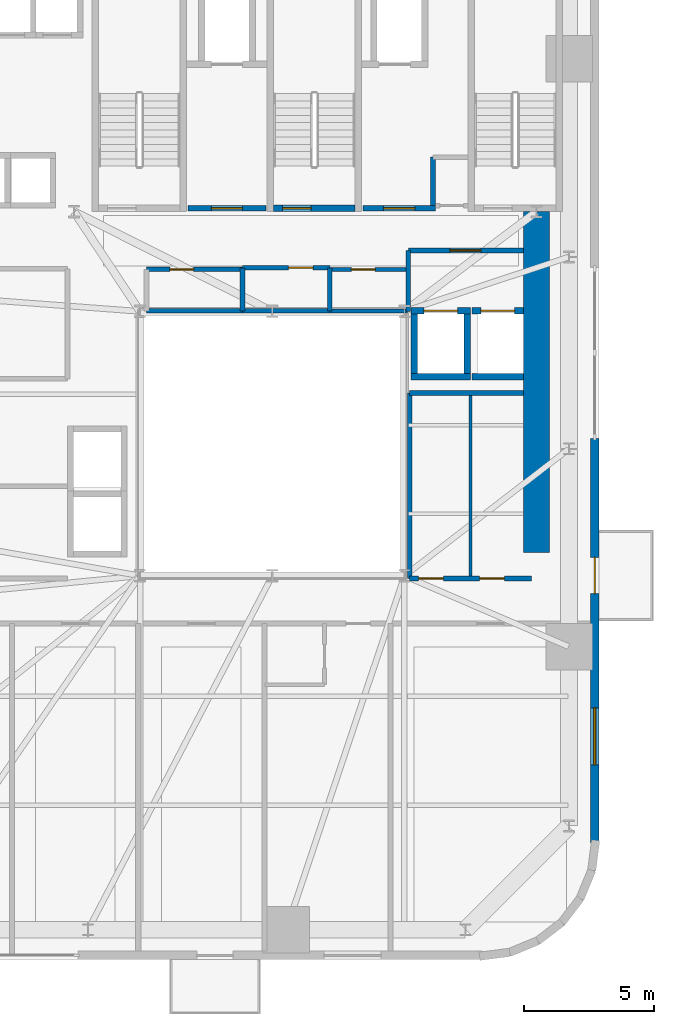
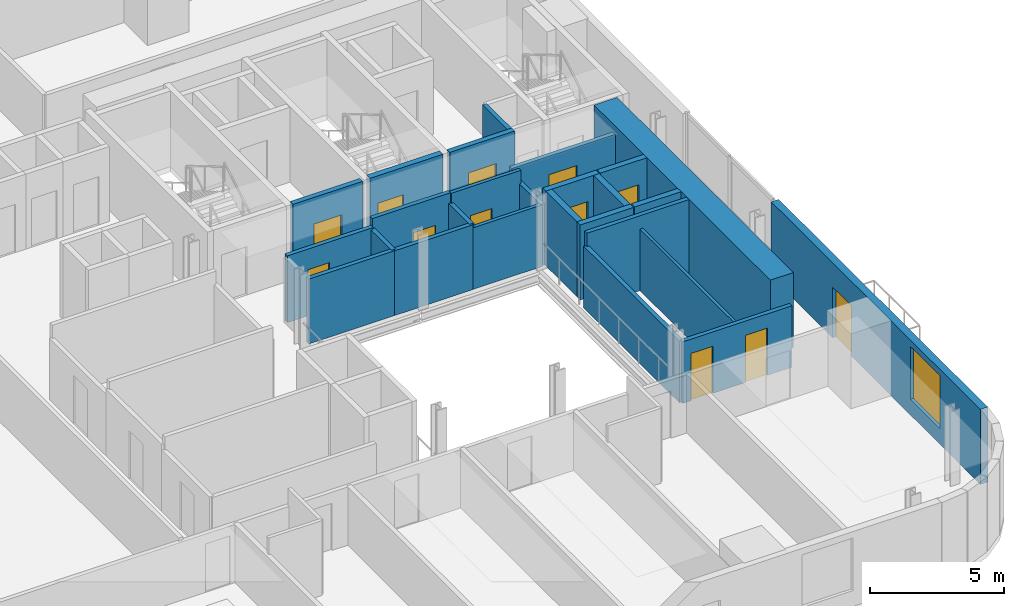
# One storey, part 7 of 13: 26 walls, 12 doors, 1 window, 13 openings.
"""IFC4 building model written with IfcOpenShell, lengths in metres."""

from ifc_helpers import new_model, si_unit, direction, frame, frame_2d, origin, place, context, subcontext, project, spatial, rectangle, extrude, source, transform, mapped, material, layer, layer_set, type_object, element, fill, save


model = new_model("IFC4")

# Units and contexts
model_context = context("Model", 3, precision=1e-05, world=origin(), true_north=direction((0.0, 1.0)))
body_context = subcontext(model_context, "Body", "Model", "MODEL_VIEW")
ifc_project = project(units=[si_unit("LENGTHUNIT", "METRE"), si_unit("AREAUNIT", "SQUARE_METRE"), si_unit("VOLUMEUNIT", "CUBIC_METRE"), si_unit("PLANEANGLEUNIT", "RADIAN"), si_unit("MASSUNIT", "GRAM", prefix="KILO")], contexts=[model_context])

# Site, building, storey
site_placement = place(None, origin())
site = spatial("IfcSite", under=ifc_project, at=site_placement, CompositionType="ELEMENT")
building_placement = place(site_placement, origin())
building = spatial("IfcBuilding", under=site, at=building_placement, Name="Vardaveli Station Tower", CompositionType="ELEMENT")
storey_placement = place(building_placement, frame((0.0, 0.0, 45.85009765625)))
storey = spatial("IfcBuildingStorey", under=building, at=storey_placement, Name="L11", CompositionType="ELEMENT", Elevation=45.85009765625)

# Wall
ifc_material_1 = material(Name="Concrete C60/75", Category="concrete")
ifc_layer_1 = layer(ifc_material_1, 1.0, Name="Concrete C60/75")
ifc_layer_set_1 = layer_set([ifc_layer_1], Name="Concrete C60/75")
wall_type_1 = type_object("IfcWallType", Name="WAL-CORE-1000", PredefinedType="SHEAR", material=ifc_layer_set_1)
shared_shape_1 = source(origin(), body_context, "Body", "SweptSolid", [
    extrude(rectangle(XDim=13.14990234375, YDim=1.0, at=frame_2d((6.574951171875, 0.0))), origin(), (0.0, 0.0, 1.0), 3.409912109375),
])
wall_1_placement = place(storey_placement, frame((46.5, 17.5, 0.0), z_axis=(0.0, 0.0, 1.0), x_axis=(0.0, 1.0, 0.0)))
element("IfcWall", 1, at=wall_1_placement, inside=storey, type_object=wall_type_1, Name="SW-L11-EAST2", PredefinedType="SHEAR", context=body_context, shape_type="MappedRepresentation", body=[
    mapped(shared_shape_1, transform((0.0, 0.0, 0.0), scale=1.0)),
])

# Wall, openings, door, window
ifc_material_2 = material(Name="Precast concrete C45/55", Category="concrete")
ifc_layer_2 = layer(ifc_material_2, 0.320068359375, Name="Precast concrete C45/55")
ifc_layer_set_2 = layer_set([ifc_layer_2], Name="Precast concrete C45/55")
wall_type_2 = type_object("IfcWallType", Name="WAL-EXT-STONE-320", PredefinedType="SOLIDWALL", material=ifc_layer_set_2)
shared_shape_2 = source(origin(), body_context, "Body", "SweptSolid", [
    extrude(rectangle(XDim=15.599853515625, YDim=0.320068359375, at=frame_2d((7.7998046875, 0.0))), origin(), (0.0, 0.0, 1.0), 3.409912109375),
])
wall_2_placement = place(storey_placement, frame((48.739990234375, 6.300048828125, 0.0), z_axis=(0.0, 0.0, 1.0), x_axis=(0.0, 1.0, 0.0)))
wall_2 = element("IfcWall", 2, at=wall_2_placement, inside=storey, type_object=wall_type_2, Name="EW-L11-E1", PredefinedType="SOLIDWALL", context=body_context, shape_type="MappedRepresentation", body=[
    mapped(shared_shape_2, transform((0.0, 0.0, 0.0), scale=1.0)),
])
shared_shape_3 = source(origin(), body_context, "Body", "SweptSolid", [
    extrude(rectangle(XDim=1.39990234375, YDim=2.300048828125, at=frame_2d((0.699951171875, 1.14990234375))), frame((0.0, 0.169921875, 0.0), z_axis=(0.0, -1.0, 0.0), x_axis=(1.0, 0.0, 0.0)), (0.0, 0.0, 1.0), 0.340087890625),
])
opening_1_placement = place(wall_2_placement, frame((9.6103515625, 0.0, 0.0)))
opening_1 = element("IfcOpeningElement", 3, at=opening_1_placement, cuts=wall_2, Name="Opening D-09", PredefinedType="OPENING", context=body_context, shape_type="MappedRepresentation", body=[
    mapped(shared_shape_3, transform((0.0, 0.0, 0.0), scale=1.0)),
])
shared_shape_4 = source(origin(), body_context, "Body", "SweptSolid", [
    extrude(rectangle(XDim=2.199951171875, YDim=2.39990234375, at=frame_2d((1.10009765625, 1.199951171875))), frame((0.0, 0.169921875, 0.0), z_axis=(0.0, -1.0, 0.0), x_axis=(1.0, 0.0, 0.0)), (0.0, 0.0, 1.0), 0.340087890625),
])
opening_2_placement = place(wall_2_placement, frame((3.0048828125, 0.0, 0.719970703125)))
opening_2 = element("IfcOpeningElement", 4, at=opening_2_placement, cuts=wall_2, Name="Opening W-03", PredefinedType="OPENING", context=body_context, shape_type="MappedRepresentation", body=[
    mapped(shared_shape_4, transform((0.0, 0.0, 0.0), scale=1.0)),
])
ifc_material_3 = material(Name="Thermally broken aluminium glass", Category="aluminium")
door_type_1 = type_object("IfcDoorType", Name="DR-LOG-1400x2300", OperationType="DOUBLE_DOOR_SLIDING", PredefinedType="DOOR", material=ifc_material_3)
shared_shape_5 = source(origin(), body_context, "Body", "SweptSolid", [
    extrude(rectangle(XDim=1.39990234375, YDim=2.300048828125, at=frame_2d((0.699951171875, 1.14990234375))), frame((0.0, 0.02490234375, 0.0), z_axis=(0.0, -1.0, 0.0), x_axis=(1.0, 0.0, 0.0)), (0.0, 0.0, 1.0), 0.050048828125),
])
door_1_placement = place(opening_1_placement, frame((1.39990234375, 0.0, 0.0), z_axis=(0.0, 0.0, 1.0), x_axis=(-1.0, 0.0, 0.0)))
door_1 = element("IfcDoor", 5, at=door_1_placement, inside=storey, type_object=door_type_1, Name="DLG-L11-E", OperationType="DOUBLE_DOOR_SLIDING", OverallHeight=2.300048828125, OverallWidth=1.39990234375, PredefinedType="DOOR", context=body_context, shape_type="MappedRepresentation", body=[
    mapped(shared_shape_5, transform((0.0, 0.0, 0.0), scale=1.0)),
])
fill(opening_1, door_1)
ifc_material_4 = material(Name="Low-E solar-control glass", Category="glass")
window_type = type_object("IfcWindowType", Name="WIN-LOG-2200x2400", PartitioningType="SINGLE_PANEL", PredefinedType="WINDOW", material=ifc_material_4)
shared_shape_6 = source(origin(), body_context, "Body", "SweptSolid", [
    extrude(rectangle(XDim=2.199951171875, YDim=2.39990234375, at=frame_2d((1.10009765625, 1.199951171875))), frame((0.0, 0.030029296875, 0.0), z_axis=(0.0, -1.0, 0.0), x_axis=(1.0, 0.0, 0.0)), (0.0, 0.0, 1.0), 0.06005859375),
])
window_placement = place(opening_2_placement, origin())
window = element("IfcWindow", 6, at=window_placement, inside=storey, type_object=window_type, Name="WN-L11-E1", OverallHeight=2.39990234375, OverallWidth=2.199951171875, PartitioningType="SINGLE_PANEL", PredefinedType="WINDOW", context=body_context, shape_type="MappedRepresentation", body=[
    mapped(shared_shape_6, transform((0.0, 0.0, 0.0), scale=1.0)),
])
fill(opening_2, window)

# Wall, opening, door
ifc_material_5 = material(Name="Concrete C40/50", Category="concrete")
ifc_layer_3 = layer(ifc_material_5, 0.25, Name="Concrete C40/50")
ifc_layer_set_3 = layer_set([ifc_layer_3], Name="Concrete C40/50")
wall_type_3 = type_object("IfcWallType", Name="WAL-SHAFT-250", PredefinedType="SOLIDWALL", material=ifc_layer_set_3)
shared_shape_7 = source(origin(), body_context, "Body", "SweptSolid", [
    extrude(rectangle(XDim=3.14990234375, YDim=0.25, at=frame_2d((1.574951171875, 0.0))), origin(), (0.0, 0.0, 1.0), 3.449951171875),
])
wall_3_placement = place(storey_placement, frame((36.35009765625, 30.77490234375, 0.0), z_axis=(0.0, 0.0, 1.0), x_axis=(1.0, 0.0, 0.0)))
wall_3 = element("IfcWall", 7, at=wall_3_placement, inside=storey, type_object=wall_type_3, Name="W-L11-ST-2S", PredefinedType="SOLIDWALL", context=body_context, shape_type="MappedRepresentation", body=[
    mapped(shared_shape_7, transform((0.0, 0.0, 0.0), scale=1.0)),
])
shared_shape_8 = source(origin(), body_context, "Body", "SweptSolid", [
    extrude(rectangle(XDim=1.10009765625, YDim=2.199951171875, at=frame_2d((0.550048828125, 1.10009765625))), frame((0.0, 0.135009765625, 0.0), z_axis=(0.0, -1.0, 0.0), x_axis=(1.0, 0.0, 0.0)), (0.0, 0.0, 1.0), 0.27001953125),
])
opening_3_placement = place(wall_3_placement, frame((0.35009765625, 0.0, 0.0)))
opening_3 = element("IfcOpeningElement", 8, at=opening_3_placement, cuts=wall_3, Name="Opening D-04", PredefinedType="OPENING", context=body_context, shape_type="MappedRepresentation", body=[
    mapped(shared_shape_8, transform((0.0, 0.0, 0.0), scale=1.0)),
])
ifc_material_6 = material(Name="Steel smokeproof fire doorset", Category="steel")
door_type_2 = type_object("IfcDoorType", Name="DR-ST-1100x2200", OperationType="NOTDEFINED", PredefinedType="DOOR", material=ifc_material_6)
shared_shape_9 = source(origin(), body_context, "Body", "SweptSolid", [
    extrude(rectangle(XDim=1.10009765625, YDim=2.199951171875, at=frame_2d((0.550048828125, 1.10009765625))), frame((0.0, 0.02490234375, 0.0), z_axis=(0.0, -1.0, 0.0), x_axis=(1.0, 0.0, 0.0)), (0.0, 0.0, 1.0), 0.050048828125),
])
door_2_placement = place(opening_3_placement, origin())
door_2 = element("IfcDoor", 9, at=door_2_placement, inside=storey, type_object=door_type_2, Name="DST-2-L11", OperationType="SINGLE_SWING_LEFT", OverallHeight=2.199951171875, OverallWidth=1.10009765625, PredefinedType="DOOR", context=body_context, shape_type="MappedRepresentation", body=[
    mapped(shared_shape_9, transform((0.0, 0.0, 0.0), scale=1.0)),
])
fill(opening_3, door_2)

ifc_layer_4 = layer(ifc_material_5, 0.219970703125, Name="Concrete C40/50")
ifc_layer_set_4 = layer_set([ifc_layer_4], Name="Concrete C40/50")
wall_type_4 = type_object("IfcWallType", Name="WAL-FFLOBBY-220", PredefinedType="SOLIDWALL", material=ifc_layer_set_4)
shared_shape_10 = source(origin(), body_context, "Body", "SweptSolid", [
    extrude(rectangle(XDim=3.0, YDim=0.219970703125, at=frame_2d((1.5, 0.0))), origin(), (0.0, 0.0, 1.0), 3.409912109375),
])
wall_4_placement = place(storey_placement, frame((33.050048828125, 30.780029296875, 0.0), z_axis=(0.0, 0.0, 1.0), x_axis=(1.0, 0.0, 0.0)))
wall_4 = element("IfcWall", 10, at=wall_4_placement, inside=storey, type_object=wall_type_4, Name="W-L11-FFL1S", PredefinedType="SOLIDWALL", context=body_context, shape_type="MappedRepresentation", body=[
    mapped(shared_shape_10, transform((0.0, 0.0, 0.0), scale=1.0)),
])
shared_shape_11 = source(origin(), body_context, "Body", "SweptSolid", [
    extrude(rectangle(XDim=1.199951171875, YDim=2.199951171875, at=frame_2d((0.60009765625, 1.10009765625))), frame((0.0, 0.1201171875, 0.0), z_axis=(0.0, -1.0, 0.0), x_axis=(1.0, 0.0, 0.0)), (0.0, 0.0, 1.0), 0.239990234375),
])
opening_4_placement = place(wall_4_placement, frame((0.89990234375, 0.0, 0.0)))
opening_4 = element("IfcOpeningElement", 11, at=opening_4_placement, cuts=wall_4, Name="Opening D-03", PredefinedType="OPENING", context=body_context, shape_type="MappedRepresentation", body=[
    mapped(shared_shape_11, transform((0.0, 0.0, 0.0), scale=1.0)),
])
door_type_3 = type_object("IfcDoorType", Name="DR-FFL-1200x2200", OperationType="NOTDEFINED", PredefinedType="DOOR", material=ifc_material_6)
shared_shape_12 = source(origin(), body_context, "Body", "SweptSolid", [
    extrude(rectangle(XDim=1.199951171875, YDim=2.199951171875, at=frame_2d((0.60009765625, 1.10009765625))), frame((0.0, 0.02490234375, 0.0), z_axis=(0.0, -1.0, 0.0), x_axis=(1.0, 0.0, 0.0)), (0.0, 0.0, 1.0), 0.050048828125),
])
door_3_placement = place(opening_4_placement, origin())
door_3 = element("IfcDoor", 12, at=door_3_placement, inside=storey, type_object=door_type_3, Name="DFFL1-L11", OperationType="SINGLE_SWING_LEFT", OverallHeight=2.199951171875, OverallWidth=1.199951171875, PredefinedType="DOOR", context=body_context, shape_type="MappedRepresentation", body=[
    mapped(shared_shape_12, transform((0.0, 0.0, 0.0), scale=1.0)),
])
fill(opening_4, door_3)

shared_shape_13 = source(origin(), body_context, "Body", "SweptSolid", [
    extrude(rectangle(XDim=2.800048828125, YDim=0.219970703125, at=frame_2d((1.39990234375, 0.0))), origin(), (0.0, 0.0, 1.0), 3.409912109375),
])
wall_5_placement = place(storey_placement, frame((39.800048828125, 30.780029296875, 0.0), z_axis=(0.0, 0.0, 1.0), x_axis=(1.0, 0.0, 0.0)))
wall_5 = element("IfcWall", 13, at=wall_5_placement, inside=storey, type_object=wall_type_4, Name="W-L11-FFL2S", PredefinedType="SOLIDWALL", context=body_context, shape_type="MappedRepresentation", body=[
    mapped(shared_shape_13, transform((0.0, 0.0, 0.0), scale=1.0)),
])
opening_5_placement = place(wall_5_placement, frame((0.800048828125, 0.0, 0.0)))
opening_5 = element("IfcOpeningElement", 14, at=opening_5_placement, cuts=wall_5, Name="Opening D-03", PredefinedType="OPENING", context=body_context, shape_type="MappedRepresentation", body=[
    mapped(shared_shape_11, transform((0.0, 0.0, 0.0), scale=1.0)),
])
door_4_placement = place(opening_5_placement, origin())
door_4 = element("IfcDoor", 15, at=door_4_placement, inside=storey, type_object=door_type_3, Name="DFFL2-L11", OperationType="SINGLE_SWING_RIGHT", OverallHeight=2.199951171875, OverallWidth=1.199951171875, PredefinedType="DOOR", context=body_context, shape_type="MappedRepresentation", body=[
    mapped(shared_shape_12, transform((0.0, 0.0, 0.0), scale=1.0)),
])
fill(opening_5, door_4)

# Wall
shared_shape_14 = source(origin(), body_context, "Body", "SweptSolid", [
    extrude(rectangle(XDim=2.300048828125, YDim=0.25, at=frame_2d((1.14990234375, 0.0))), origin(), (0.0, 0.0, 1.0), 3.409912109375),
])
wall_6_placement = place(storey_placement, frame((41.64990234375, 24.27490234375, 0.0), z_axis=(0.0, 0.0, 1.0), x_axis=(1.0, 0.0, 0.0)))
element("IfcWall", 16, at=wall_6_placement, inside=storey, type_object=wall_type_3, Name="SHW-SRV-01-L11-S", PredefinedType="SOLIDWALL", context=body_context, shape_type="MappedRepresentation", body=[
    mapped(shared_shape_14, transform((0.0, 0.0, 0.0), scale=1.0)),
])

# Wall, opening, door
wall_7_placement = place(storey_placement, frame((41.64990234375, 26.824951171875, 0.0), z_axis=(0.0, 0.0, 1.0), x_axis=(1.0, 0.0, 0.0)))
wall_7 = element("IfcWall", 17, at=wall_7_placement, inside=storey, type_object=wall_type_3, Name="SHW-SRV-01-L11-N", PredefinedType="SOLIDWALL", context=body_context, shape_type="MappedRepresentation", body=[
    mapped(shared_shape_14, transform((0.0, 0.0, 0.0), scale=1.0)),
])
shared_shape_15 = source(origin(), body_context, "Body", "SweptSolid", [
    extrude(rectangle(XDim=1.300048828125, YDim=2.300048828125, at=frame_2d((0.64990234375, 1.14990234375))), frame((0.0, 0.135009765625, 0.0), z_axis=(0.0, -1.0, 0.0), x_axis=(1.0, 0.0, 0.0)), (0.0, 0.0, 1.0), 0.27001953125),
])
opening_6_placement = place(wall_7_placement, frame((0.5, 0.0, 0.0)))
opening_6 = element("IfcOpeningElement", 18, at=opening_6_placement, cuts=wall_7, Name="Opening LD-03", PredefinedType="OPENING", context=body_context, shape_type="MappedRepresentation", body=[
    mapped(shared_shape_15, transform((0.0, 0.0, 0.0), scale=1.0)),
])
ifc_material_7 = material(Name="Brushed stainless steel", Category="steel")
door_type_4 = type_object("IfcDoorType", Name="DR-LD-1300x2300", OperationType="DOUBLE_DOOR_SLIDING", PredefinedType="DOOR", material=ifc_material_7)
shared_shape_16 = source(origin(), body_context, "Body", "SweptSolid", [
    extrude(rectangle(XDim=1.300048828125, YDim=2.300048828125, at=frame_2d((0.64990234375, 1.14990234375))), frame((0.0, 0.02490234375, 0.0), z_axis=(0.0, -1.0, 0.0), x_axis=(1.0, 0.0, 0.0)), (0.0, 0.0, 1.0), 0.050048828125),
])
door_5_placement = place(opening_6_placement, origin())
door_5 = element("IfcDoor", 19, at=door_5_placement, inside=storey, type_object=door_type_4, Name="LD-SRV-01-L11", OperationType="DOUBLE_DOOR_SLIDING", OverallHeight=2.300048828125, OverallWidth=1.300048828125, PredefinedType="DOOR", context=body_context, shape_type="MappedRepresentation", body=[
    mapped(shared_shape_16, transform((0.0, 0.0, 0.0), scale=1.0)),
])
fill(opening_6, door_5)

# Walls
for number, where, z_axis, x_axis, name in (
    (20, (41.77490234375, 24.39990234375, 0.0), (0.0, 0.0, 1.0), (0.0, 1.0, 0.0), "SHW-SRV-01-L11-W"),
    (21, (43.824951171875, 24.39990234375, 0.0), (0.0, 0.0, 1.0), (0.0, 1.0, 0.0), "SHW-SRV-01-L11-E"),
):
    element("IfcWall", number, at=place(storey_placement, frame(where, z_axis=z_axis, x_axis=x_axis)), inside=storey, type_object=wall_type_3, Name=name, PredefinedType="SOLIDWALL", context=body_context, shape_type="MappedRepresentation", body=[
        mapped(shared_shape_14, transform((0.0, 0.0, 0.0), scale=1.0)),
    ])
shared_shape_17 = source(origin(), body_context, "Body", "SweptSolid", [
    extrude(rectangle(XDim=2.0, YDim=0.25, at=frame_2d((1.0, 0.0))), origin(), (0.0, 0.0, 1.0), 3.409912109375),
])
wall_8_placement = place(storey_placement, frame((44.0, 24.27490234375, 0.0), z_axis=(0.0, 0.0, 1.0), x_axis=(1.0, 0.0, 0.0)))
element("IfcWall", 22, at=wall_8_placement, inside=storey, type_object=wall_type_3, Name="SHW-SRV-02-L11-S", PredefinedType="SOLIDWALL", context=body_context, shape_type="MappedRepresentation", body=[
    mapped(shared_shape_17, transform((0.0, 0.0, 0.0), scale=1.0)),
])

# Wall, opening, door
wall_9_placement = place(storey_placement, frame((44.0, 26.824951171875, 0.0), z_axis=(0.0, 0.0, 1.0), x_axis=(1.0, 0.0, 0.0)))
wall_9 = element("IfcWall", 23, at=wall_9_placement, inside=storey, type_object=wall_type_3, Name="SHW-SRV-02-L11-N", PredefinedType="SOLIDWALL", context=body_context, shape_type="MappedRepresentation", body=[
    mapped(shared_shape_17, transform((0.0, 0.0, 0.0), scale=1.0)),
])
opening_7_placement = place(wall_9_placement, frame((0.35009765625, 0.0, 0.0)))
opening_7 = element("IfcOpeningElement", 24, at=opening_7_placement, cuts=wall_9, Name="Opening LD-03", PredefinedType="OPENING", context=body_context, shape_type="MappedRepresentation", body=[
    mapped(shared_shape_15, transform((0.0, 0.0, 0.0), scale=1.0)),
])
door_6_placement = place(opening_7_placement, origin())
door_6 = element("IfcDoor", 25, at=door_6_placement, inside=storey, type_object=door_type_4, Name="LD-SRV-02-L11", OperationType="DOUBLE_DOOR_SLIDING", OverallHeight=2.300048828125, OverallWidth=1.300048828125, PredefinedType="DOOR", context=body_context, shape_type="MappedRepresentation", body=[
    mapped(shared_shape_16, transform((0.0, 0.0, 0.0), scale=1.0)),
])
fill(opening_7, door_6)

ifc_material_8 = material(Name="Fire-rated gypsum stud partition")
ifc_layer_5 = layer(ifc_material_8, 0.179931640625, Name="Fire-rated gypsum stud partition")
ifc_layer_set_5 = layer_set([ifc_layer_5], Name="Fire-rated gypsum stud partition")
wall_type_5 = type_object("IfcWallType", Name="WAL-CORR-180", PredefinedType="PARTITIONING", material=ifc_layer_set_5)
shared_shape_18 = source(origin(), body_context, "Body", "SweptSolid", [
    extrude(rectangle(XDim=4.447998046875, YDim=0.179931640625, at=frame_2d((2.22412109375, 0.0))), origin(), (0.0, 0.0, 1.0), 3.0419921875),
])
wall_10_placement = place(storey_placement, frame((41.550048828125, 29.14990234375, 0.0), z_axis=(0.0, 0.0, 1.0), x_axis=(1.0, 0.0, 0.0)))
wall_10 = element("IfcWall", 26, at=wall_10_placement, inside=storey, type_object=wall_type_5, Name="W-L11-SVFN", PredefinedType="PARTITIONING", context=body_context, shape_type="MappedRepresentation", body=[
    mapped(shared_shape_18, transform((0.0, 0.0, 0.0), scale=1.0)),
])
shared_shape_19 = source(origin(), body_context, "Body", "SweptSolid", [
    extrude(rectangle(XDim=1.199951171875, YDim=2.199951171875, at=frame_2d((0.60009765625, 1.10009765625))), frame((0.0, 0.10009765625, 0.0), z_axis=(0.0, -1.0, 0.0), x_axis=(1.0, 0.0, 0.0)), (0.0, 0.0, 1.0), 0.199951171875),
])
opening_8_placement = place(wall_10_placement, frame((1.60009765625, 0.0, 0.0)))
opening_8 = element("IfcOpeningElement", 27, at=opening_8_placement, cuts=wall_10, Name="Opening D-03", PredefinedType="OPENING", context=body_context, shape_type="MappedRepresentation", body=[
    mapped(shared_shape_19, transform((0.0, 0.0, 0.0), scale=1.0)),
])
door_7_placement = place(opening_8_placement, origin())
door_7 = element("IfcDoor", 28, at=door_7_placement, inside=storey, type_object=door_type_3, Name="D-L11-SVF", OperationType="SINGLE_SWING_RIGHT", OverallHeight=2.199951171875, OverallWidth=1.199951171875, PredefinedType="DOOR", context=body_context, shape_type="MappedRepresentation", body=[
    mapped(shared_shape_12, transform((0.0, 0.0, 0.0), scale=1.0)),
])
fill(opening_8, door_7)

# Wall, openings, doors
shared_shape_20 = source(origin(), body_context, "Body", "SweptSolid", [
    extrude(rectangle(XDim=4.699951171875, YDim=0.179931640625, at=frame_2d((2.35009765625, 0.0))), origin(), (0.0, 0.0, 1.0), 2.802001953125),
])
wall_11_placement = place(storey_placement, frame((41.60009765625, 16.5, 0.0), z_axis=(0.0, 0.0, 1.0), x_axis=(1.0, 0.0, 0.0)))
wall_11 = element("IfcWall", 29, at=wall_11_placement, inside=storey, type_object=wall_type_5, Name="W-L11-ATE-S", PredefinedType="PARTITIONING", context=body_context, shape_type="MappedRepresentation", body=[
    mapped(shared_shape_20, transform((0.0, 0.0, 0.0), scale=1.0)),
])
shared_shape_21 = source(origin(), body_context, "Body", "SweptSolid", [
    extrude(rectangle(XDim=0.949951171875, YDim=2.14990234375, at=frame_2d((0.47509765625, 1.074951171875))), frame((0.0, 0.10009765625, 0.0), z_axis=(0.0, -1.0, 0.0), x_axis=(1.0, 0.0, 0.0)), (0.0, 0.0, 1.0), 0.199951171875),
])
opening_9_placement = place(wall_11_placement, frame((0.35009765625, 0.0, 0.0)))
opening_9 = element("IfcOpeningElement", 30, at=opening_9_placement, cuts=wall_11, Name="Opening D-11", PredefinedType="OPENING", context=body_context, shape_type="MappedRepresentation", body=[
    mapped(shared_shape_21, transform((0.0, 0.0, 0.0), scale=1.0)),
])
opening_10_placement = place(wall_11_placement, frame((2.699951171875, 0.0, 0.0)))
opening_10 = element("IfcOpeningElement", 31, at=opening_10_placement, cuts=wall_11, Name="Opening D-11", PredefinedType="OPENING", context=body_context, shape_type="MappedRepresentation", body=[
    mapped(shared_shape_21, transform((0.0, 0.0, 0.0), scale=1.0)),
])
ifc_material_9 = material(Name="Oak veneer internal suite door")
door_type_5 = type_object("IfcDoorType", Name="DR-INT-950x2150", OperationType="NOTDEFINED", PredefinedType="DOOR", material=ifc_material_9)
shared_shape_22 = source(origin(), body_context, "Body", "SweptSolid", [
    extrude(rectangle(XDim=0.949951171875, YDim=2.14990234375, at=frame_2d((0.47509765625, 1.074951171875))), frame((0.0, 0.02490234375, 0.0), z_axis=(0.0, -1.0, 0.0), x_axis=(1.0, 0.0, 0.0)), (0.0, 0.0, 1.0), 0.050048828125),
])
door_8_placement = place(opening_9_placement, origin())
door_8 = element("IfcDoor", 32, at=door_8_placement, inside=storey, type_object=door_type_5, Name="D-L11-ATE1", OperationType="SINGLE_SWING_RIGHT", OverallHeight=2.14990234375, OverallWidth=0.949951171875, PredefinedType="DOOR", context=body_context, shape_type="MappedRepresentation", body=[
    mapped(shared_shape_22, transform((0.0, 0.0, 0.0), scale=1.0)),
])
fill(opening_9, door_8)
door_9_placement = place(opening_10_placement, origin())
door_9 = element("IfcDoor", 33, at=door_9_placement, inside=storey, type_object=door_type_5, Name="D-L11-ATE2", OperationType="SINGLE_SWING_RIGHT", OverallHeight=2.14990234375, OverallWidth=0.949951171875, PredefinedType="DOOR", context=body_context, shape_type="MappedRepresentation", body=[
    mapped(shared_shape_22, transform((0.0, 0.0, 0.0), scale=1.0)),
])
fill(opening_10, door_9)

# Walls
shared_shape_23 = source(origin(), body_context, "Body", "SweptSolid", [
    extrude(rectangle(XDim=7.14990234375, YDim=0.179931640625, at=frame_2d((3.574951171875, 0.0))), origin(), (0.0, 0.0, 1.0), 2.802001953125),
])
wall_12_placement = place(storey_placement, frame((41.60009765625, 16.5, 0.0), z_axis=(0.0, 0.0, 1.0), x_axis=(0.0, 1.0, 0.0)))
element("IfcWall", 34, at=wall_12_placement, inside=storey, type_object=wall_type_5, Name="W-L11-ATE-W", PredefinedType="PARTITIONING", context=body_context, shape_type="MappedRepresentation", body=[
    mapped(shared_shape_23, transform((0.0, 0.0, 0.0), scale=1.0)),
])
shared_shape_24 = source(origin(), body_context, "Body", "SweptSolid", [
    extrude(rectangle(XDim=4.39794921875, YDim=0.179931640625, at=frame_2d((2.198974609375, 0.0))), origin(), (0.0, 0.0, 1.0), 3.409912109375),
])
wall_13_placement = place(storey_placement, frame((41.60009765625, 23.64990234375, 0.0), z_axis=(0.0, 0.0, 1.0), x_axis=(1.0, 0.0, 0.0)))
element("IfcWall", 35, at=wall_13_placement, inside=storey, type_object=wall_type_5, Name="W-L11-ATE-N", PredefinedType="PARTITIONING", context=body_context, shape_type="MappedRepresentation", body=[
    mapped(shared_shape_24, transform((0.0, 0.0, 0.0), scale=1.0)),
])
shared_shape_25 = source(origin(), body_context, "Body", "SweptSolid", [
    extrude(rectangle(XDim=2.349853515625, YDim=0.179931640625, at=frame_2d((1.1748046875, 0.0))), origin(), (0.0, 0.0, 1.0), 2.802001953125),
])
wall_14_placement = place(storey_placement, frame((41.550048828125, 26.800048828125, 0.0), z_axis=(0.0, 0.0, 1.0), x_axis=(0.0, 1.0, 0.0)))
element("IfcWall", 36, at=wall_14_placement, inside=storey, type_object=wall_type_5, Name="W-L11-SVFW", PredefinedType="PARTITIONING", context=body_context, shape_type="MappedRepresentation", body=[
    mapped(shared_shape_25, transform((0.0, 0.0, 0.0), scale=1.0)),
])
ifc_material_10 = material(Name="Gypsum board stud partition")
ifc_layer_6 = layer(ifc_material_10, 0.125, Name="Gypsum board stud partition")
ifc_layer_set_6 = layer_set([ifc_layer_6], Name="Gypsum board stud partition")
wall_type_6 = type_object("IfcWallType", Name="WAL-INT-125", PredefinedType="PARTITIONING", material=ifc_layer_set_6)
shared_shape_26 = source(origin(), body_context, "Body", "SweptSolid", [
    extrude(rectangle(XDim=7.14990234375, YDim=0.125, at=frame_2d((3.574951171875, 0.0))), origin(), (0.0, 0.0, 1.0), 2.802001953125),
])
wall_15_placement = place(storey_placement, frame((43.949951171875, 16.5, 0.0), z_axis=(0.0, 0.0, 1.0), x_axis=(0.0, 1.0, 0.0)))
element("IfcWall", 37, at=wall_15_placement, inside=storey, type_object=wall_type_6, Name="W-L11-ATEM", PredefinedType="PARTITIONING", context=body_context, shape_type="MappedRepresentation", body=[
    mapped(shared_shape_26, transform((0.0, 0.0, 0.0), scale=1.0)),
])

# Wall, opening, door
shared_shape_27 = source(origin(), body_context, "Body", "SweptSolid", [
    extrude(rectangle(XDim=3.699951171875, YDim=0.179931640625, at=frame_2d((1.85009765625, 0.0))), origin(), (0.0, 0.0, 1.0), 3.0419921875),
])
wall_16_placement = place(storey_placement, frame((31.449951171875, 28.419921875, 0.0), z_axis=(0.0, 0.0, 1.0), x_axis=(1.0, 0.0, 0.0)))
wall_16 = element("IfcWall", 38, at=wall_16_placement, inside=storey, type_object=wall_type_5, Name="W-L11-CS2A-N", PredefinedType="PARTITIONING", context=body_context, shape_type="MappedRepresentation", body=[
    mapped(shared_shape_27, transform((0.0, 0.0, 0.0), scale=1.0)),
])
shared_shape_28 = source(origin(), body_context, "Body", "SweptSolid", [
    extrude(rectangle(XDim=0.919921875, YDim=2.10009765625, at=frame_2d((0.4599609375, 1.050048828125))), frame((0.0, 0.10009765625, 0.0), z_axis=(0.0, -1.0, 0.0), x_axis=(1.0, 0.0, 0.0)), (0.0, 0.0, 1.0), 0.199951171875),
])
opening_11_placement = place(wall_16_placement, frame((0.89990234375, 0.0, 0.0)))
opening_11 = element("IfcOpeningElement", 39, at=opening_11_placement, cuts=wall_16, Name="Opening D-07", PredefinedType="OPENING", context=body_context, shape_type="MappedRepresentation", body=[
    mapped(shared_shape_28, transform((0.0, 0.0, 0.0), scale=1.0)),
])
ifc_material_11 = material(Name="Moisture-resistant hardwood door", Category="wood")
door_type_6 = type_object("IfcDoorType", Name="DR-WC-920x2100", OperationType="NOTDEFINED", PredefinedType="DOOR", material=ifc_material_11)
shared_shape_29 = source(origin(), body_context, "Body", "SweptSolid", [
    extrude(rectangle(XDim=0.919921875, YDim=2.10009765625, at=frame_2d((0.4599609375, 1.050048828125))), frame((0.0, 0.02490234375, 0.0), z_axis=(0.0, -1.0, 0.0), x_axis=(1.0, 0.0, 0.0)), (0.0, 0.0, 1.0), 0.050048828125),
])
door_10_placement = place(opening_11_placement, origin())
door_10 = element("IfcDoor", 40, at=door_10_placement, inside=storey, type_object=door_type_6, Name="D-L11-CS2A", OperationType="SINGLE_SWING_LEFT", OverallHeight=2.10009765625, OverallWidth=0.919921875, PredefinedType="DOOR", context=body_context, shape_type="MappedRepresentation", body=[
    mapped(shared_shape_29, transform((0.0, 0.0, 0.0), scale=1.0)),
])
fill(opening_11, door_10)

# Wall
ifc_material_12 = material(Name="Moisture-resistant stud partition")
ifc_layer_7 = layer(ifc_material_12, 0.14990234375, Name="Moisture-resistant stud partition")
ifc_layer_set_7 = layer_set([ifc_layer_7], Name="Moisture-resistant stud partition")
wall_type_7 = type_object("IfcWallType", Name="WAL-WET-150", PredefinedType="PARTITIONING", material=ifc_layer_set_7)
shared_shape_30 = source(origin(), body_context, "Body", "SweptSolid", [
    extrude(rectangle(XDim=3.0, YDim=0.14990234375, at=frame_2d((1.5, 0.0))), origin(), (0.0, 0.0, 1.0), 2.802001953125),
])
wall_17_placement = place(storey_placement, frame((38.52001953125, 26.820068359375, 0.0), z_axis=(0.0, 0.0, 1.0), x_axis=(1.0, 0.0, 0.0)))
element("IfcWall", 41, at=wall_17_placement, inside=storey, type_object=wall_type_7, Name="W-L11-WCA2-S", PredefinedType="PARTITIONING", context=body_context, shape_type="MappedRepresentation", body=[
    mapped(shared_shape_30, transform((0.0, 0.0, 0.0), scale=1.0)),
])

# Wall, opening, door
shared_shape_31 = source(origin(), body_context, "Body", "SweptSolid", [
    extrude(rectangle(XDim=3.3701171875, YDim=0.179931640625, at=frame_2d((1.68505859375, 0.0))), origin(), (0.0, 0.0, 1.0), 3.409912109375),
])
wall_18_placement = place(storey_placement, frame((35.14990234375, 28.47998046875, 0.0), z_axis=(0.0, 0.0, 1.0), x_axis=(1.0, 0.0, 0.0)))
wall_18 = element("IfcWall", 42, at=wall_18_placement, inside=storey, type_object=wall_type_5, Name="W-L11-HKP2-N", PredefinedType="PARTITIONING", context=body_context, shape_type="MappedRepresentation", body=[
    mapped(shared_shape_31, transform((0.0, 0.0, 0.0), scale=1.0)),
])
opening_12_placement = place(wall_18_placement, frame((1.77490234375, 0.0, 0.0)))
opening_12 = element("IfcOpeningElement", 43, at=opening_12_placement, cuts=wall_18, Name="Opening D-06", PredefinedType="OPENING", context=body_context, shape_type="MappedRepresentation", body=[
    mapped(shared_shape_21, transform((0.0, 0.0, 0.0), scale=1.0)),
])
ifc_material_13 = material(Name="Oak veneer acoustic fire door")
door_type_7 = type_object("IfcDoorType", Name="DR-GUEST-950x2150", OperationType="NOTDEFINED", PredefinedType="DOOR", material=ifc_material_13)
door_11_placement = place(opening_12_placement, origin())
door_11 = element("IfcDoor", 44, at=door_11_placement, inside=storey, type_object=door_type_7, Name="D-L11-HKP", OperationType="SINGLE_SWING_LEFT", OverallHeight=2.14990234375, OverallWidth=0.949951171875, PredefinedType="DOOR", context=body_context, shape_type="MappedRepresentation", body=[
    mapped(shared_shape_22, transform((0.0, 0.0, 0.0), scale=1.0)),
])
fill(opening_12, door_11)

shared_shape_32 = source(origin(), body_context, "Body", "SweptSolid", [
    extrude(rectangle(XDim=3.0, YDim=0.14990234375, at=frame_2d((1.5, 0.0))), origin(), (0.0, 0.0, 1.0), 3.409912109375),
])
wall_19_placement = place(storey_placement, frame((38.52001953125, 28.419921875, 0.0), z_axis=(0.0, 0.0, 1.0), x_axis=(1.0, 0.0, 0.0)))
wall_19 = element("IfcWall", 45, at=wall_19_placement, inside=storey, type_object=wall_type_7, Name="W-L11-WCA2-N", PredefinedType="PARTITIONING", context=body_context, shape_type="MappedRepresentation", body=[
    mapped(shared_shape_32, transform((0.0, 0.0, 0.0), scale=1.0)),
])
shared_shape_33 = source(origin(), body_context, "Body", "SweptSolid", [
    extrude(rectangle(XDim=0.919921875, YDim=2.10009765625, at=frame_2d((0.4599609375, 1.050048828125))), frame((0.0, 0.0849609375, 0.0), z_axis=(0.0, -1.0, 0.0), x_axis=(1.0, 0.0, 0.0)), (0.0, 0.0, 1.0), 0.169921875),
])
opening_13_placement = place(wall_19_placement, frame((0.830078125, 0.0, 0.0)))
opening_13 = element("IfcOpeningElement", 46, at=opening_13_placement, cuts=wall_19, Name="Opening D-07", PredefinedType="OPENING", context=body_context, shape_type="MappedRepresentation", body=[
    mapped(shared_shape_33, transform((0.0, 0.0, 0.0), scale=1.0)),
])
door_12_placement = place(opening_13_placement, origin())
door_12 = element("IfcDoor", 47, at=door_12_placement, inside=storey, type_object=door_type_6, Name="D-L11-WCA", OperationType="SINGLE_SWING_LEFT", OverallHeight=2.10009765625, OverallWidth=0.919921875, PredefinedType="DOOR", context=body_context, shape_type="MappedRepresentation", body=[
    mapped(shared_shape_29, transform((0.0, 0.0, 0.0), scale=1.0)),
])
fill(opening_13, door_12)

# Walls
shared_shape_34 = source(origin(), body_context, "Body", "SweptSolid", [
    extrude(rectangle(XDim=3.699951171875, YDim=0.179931640625, at=frame_2d((1.85009765625, 0.0))), origin(), (0.0, 0.0, 1.0), 2.951904296875),
])
wall_20_placement = place(storey_placement, frame((31.449951171875, 26.820068359375, 0.0), z_axis=(0.0, 0.0, 1.0), x_axis=(1.0, 0.0, 0.0)))
element("IfcWall", 48, at=wall_20_placement, inside=storey, type_object=wall_type_5, Name="W-L11-CS2A-S", PredefinedType="PARTITIONING", context=body_context, shape_type="MappedRepresentation", body=[
    mapped(shared_shape_34, transform((0.0, 0.0, 0.0), scale=1.0)),
])
shared_shape_35 = source(origin(), body_context, "Body", "SweptSolid", [
    extrude(rectangle(XDim=3.3701171875, YDim=0.179931640625, at=frame_2d((1.68505859375, 0.0))), origin(), (0.0, 0.0, 1.0), 2.951904296875),
])
wall_21_placement = place(storey_placement, frame((35.14990234375, 26.820068359375, 0.0), z_axis=(0.0, 0.0, 1.0), x_axis=(1.0, 0.0, 0.0)))
element("IfcWall", 49, at=wall_21_placement, inside=storey, type_object=wall_type_5, Name="W-L11-HKP2-S", PredefinedType="PARTITIONING", context=body_context, shape_type="MappedRepresentation", body=[
    mapped(shared_shape_35, transform((0.0, 0.0, 0.0), scale=1.0)),
])
shared_shape_36 = source(origin(), body_context, "Body", "SweptSolid", [
    extrude(rectangle(XDim=1.85791015625, YDim=0.179931640625, at=frame_2d((0.928955078125, 0.0))), origin(), (0.0, 0.0, 1.0), 3.409912109375),
])
wall_22_placement = place(storey_placement, frame((42.5, 30.89208984375, 0.0), z_axis=(0.0, 0.0, 1.0), x_axis=(0.0, 1.0, 0.0)))
element("IfcWall", 50, at=wall_22_placement, inside=storey, type_object=wall_type_5, Name="W-L11-CBS2A-W", PredefinedType="PARTITIONING", context=body_context, shape_type="MappedRepresentation", body=[
    mapped(shared_shape_36, transform((0.0, 0.0, 0.0), scale=1.0)),
])
shared_shape_37 = source(origin(), body_context, "Body", "SweptSolid", [
    extrude(rectangle(XDim=1.659912109375, YDim=0.179931640625, at=frame_2d((0.830078125, 0.0))), origin(), (0.0, 0.0, 1.0), 2.951904296875),
])
for number, where, z_axis, x_axis, name in (
    (51, (35.14990234375, 26.820068359375, 0.0), (0.0, 0.0, 1.0), (0.0, 1.0, 0.0), "W-L11-HKP2-W"),
    (52, (38.52001953125, 26.820068359375, 0.0), (0.0, 0.0, 1.0), (0.0, 1.0, 0.0), "W-L11-HKP2-E"),
):
    element("IfcWall", number, at=place(storey_placement, frame(where, z_axis=z_axis, x_axis=x_axis)), inside=storey, type_object=wall_type_5, Name=name, PredefinedType="PARTITIONING", context=body_context, shape_type="MappedRepresentation", body=[
        mapped(shared_shape_37, transform((0.0, 0.0, 0.0), scale=1.0)),
    ])

save(model, "model.ifc")
